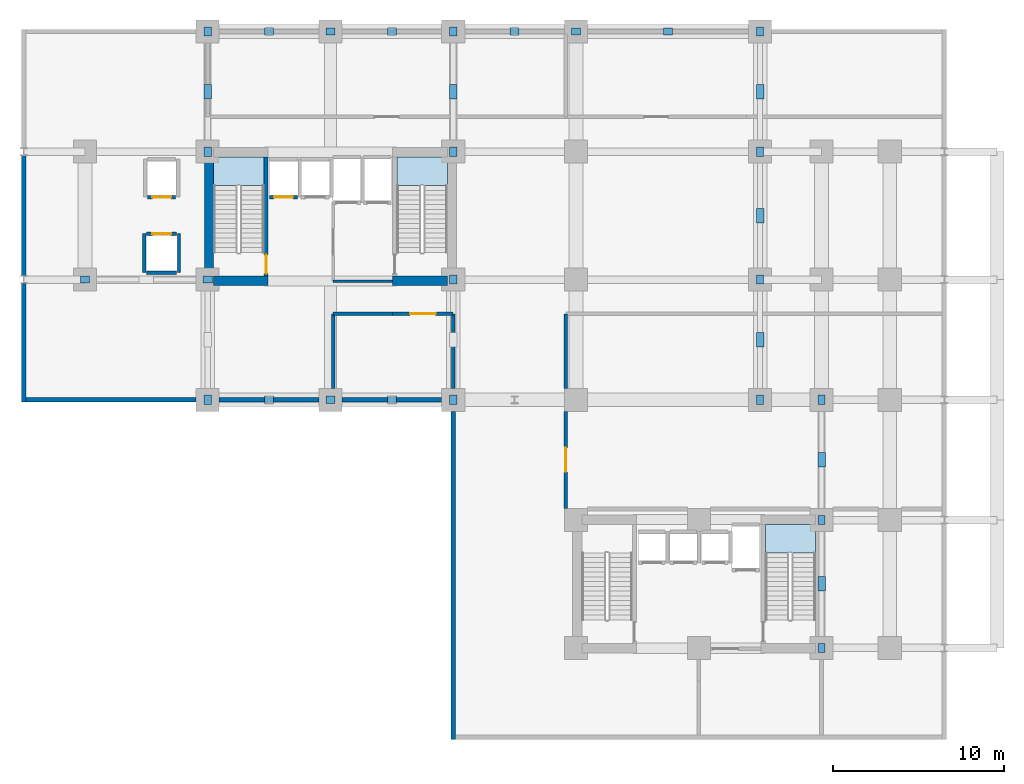
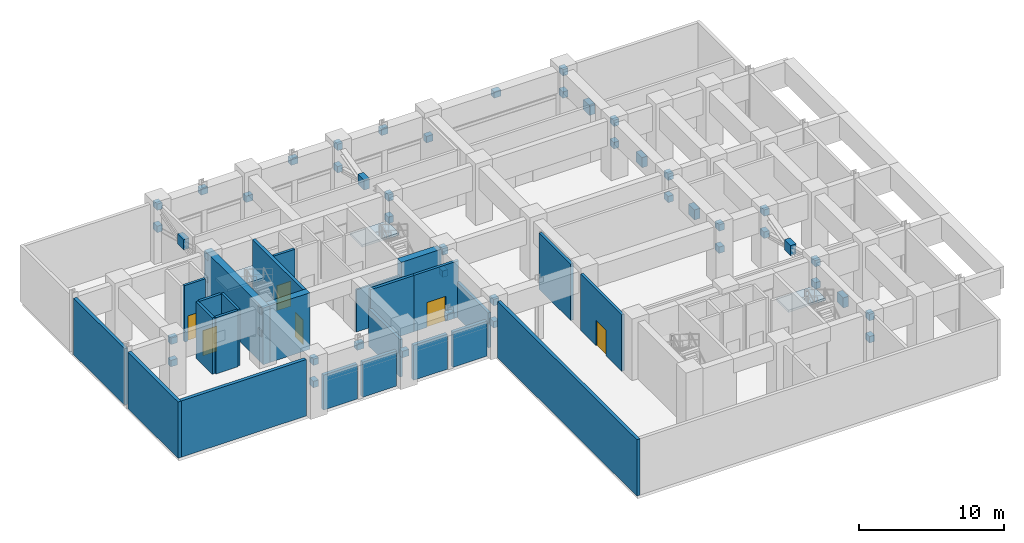
# One storey, part 3 of 8: 48 plates, 25 walls, 6 doors, 3 slabs, 6 openings, 3 elements without a shape of their own.
"""IFC4 building model written with IfcOpenShell, lengths in metres."""

from ifc_helpers import new_model, si_unit, direction, frame, frame_2d, origin, origin_2d, place, context, subcontext, project, spatial, polyline, rectangle, outline, extrude, source, transform, mapped, material, layer, layer_set, type_object, element, fill, aggregate, save


model = new_model("IFC4")

# Units and contexts
model_context = context("Model", 3, precision=1e-05, world=origin(), true_north=direction((0.0, 1.0)))
body_context = subcontext(model_context, "Body", "Model", "MODEL_VIEW")
ifc_project = project(units=[si_unit("LENGTHUNIT", "METRE"), si_unit("AREAUNIT", "SQUARE_METRE"), si_unit("VOLUMEUNIT", "CUBIC_METRE"), si_unit("PLANEANGLEUNIT", "RADIAN"), si_unit("MASSUNIT", "GRAM", prefix="KILO")], contexts=[model_context])

# Site, building, storey
site_placement = place(None, origin())
site = spatial("IfcSite", under=ifc_project, at=site_placement, CompositionType="ELEMENT")
building_placement = place(site_placement, origin())
building = spatial("IfcBuilding", under=site, at=building_placement, Name="Kaliganga Portal Commons", CompositionType="ELEMENT")
storey_placement = place(building_placement, frame((0.0, 0.0, 73.39990234375)))
storey = spatial("IfcBuildingStorey", under=building, at=storey_placement, Name="L18", CompositionType="ELEMENT", Elevation=73.39990234375)

# Stair, slab
ifc_material_1 = material(Name="Concrete C40/50", Category="concrete")
stair_type = type_object("IfcStairType", Name="ST-CORE-DOGLEG", PredefinedType="HALF_TURN_STAIR", material=ifc_material_1)
stair_1_placement = place(storey_placement, origin())
stair_1 = element("IfcStair", 1, at=stair_1_placement, inside=storey, type_object=stair_type, Name="L18 Protected Exit Stair ST-A1", PredefinedType="HALF_TURN_STAIR")
ifc_layer_1 = layer(ifc_material_1, 0.199951171875)
ifc_layer_set_1 = layer_set([ifc_layer_1], Name="Concrete C40/50")
slab_type = type_object("IfcSlabType", Name="SLB-STAIR-LND", PredefinedType="LANDING", material=ifc_layer_set_1)
slab_1_placement = place(storey_placement, frame((0.0, 0.0, 2.400146484375)))
slab_1 = element("IfcSlab", 2, at=slab_1_placement, type_object=slab_type, Name="ST-A1 landing 1", PredefinedType="LANDING", context=body_context, shape_type="SweptSolid", body=[
    extrude(outline(polyline([(17.699951171875, 34.169921875), (17.699951171875, 35.85009765625), (14.75, 35.85009765625), (14.75, 34.169921875), (17.699951171875, 34.169921875)])), origin(), (0.0, 0.0, 1.0), 0.199951171875),
])
aggregate(stair_1, [slab_1])

stair_2_placement = place(storey_placement, origin())
stair_2 = element("IfcStair", 3, at=stair_2_placement, inside=storey, type_object=stair_type, Name="L18 Protected Exit Stair ST-A2", PredefinedType="HALF_TURN_STAIR")
slab_2_placement = place(storey_placement, frame((0.0, 0.0, 2.400146484375)))
slab_2 = element("IfcSlab", 4, at=slab_2_placement, type_object=slab_type, Name="ST-A2 landing 1", PredefinedType="LANDING", context=body_context, shape_type="SweptSolid", body=[
    extrude(outline(polyline([(28.449951171875, 34.169921875), (28.449951171875, 35.85009765625), (25.5, 35.85009765625), (25.5, 34.169921875), (28.449951171875, 34.169921875)])), origin(), (0.0, 0.0, 1.0), 0.199951171875),
])
aggregate(stair_2, [slab_2])

stair_3_placement = place(storey_placement, origin())
stair_3 = element("IfcStair", 5, at=stair_3_placement, inside=storey, type_object=stair_type, Name="L18 Protected Exit Stair ST-B2", PredefinedType="HALF_TURN_STAIR")
slab_3_placement = place(storey_placement, frame((0.0, 0.0, 2.400146484375)))
slab_3 = element("IfcSlab", 6, at=slab_3_placement, type_object=slab_type, Name="ST-B2 landing 1", PredefinedType="LANDING", context=body_context, shape_type="SweptSolid", body=[
    extrude(outline(polyline([(50.050048828125, 12.6201171875), (50.050048828125, 14.300048828125), (47.10009765625, 14.300048828125), (47.10009765625, 12.6201171875), (50.050048828125, 12.6201171875)])), origin(), (0.0, 0.0, 1.0), 0.199951171875),
])
aggregate(stair_3, [slab_3])

# Plates
ifc_material_2 = material(Name="Structural steel S460M", Category="steel")
ifc_layer_2 = layer(ifc_material_2, 0.0400390625)
ifc_layer_set_2 = layer_set([ifc_layer_2], Name="Structural steel S460M")
plate_type = type_object("IfcPlateType", Name="PLT-GUSSET-40", PredefinedType="USERDEFINED", material=ifc_layer_set_2)
shared_shape_1 = source(origin(), body_context, "Body", "SweptSolid", [
    extrude(rectangle(XDim=0.85009765625, YDim=0.43994140625, at=origin_2d()), origin(), (0.0, 0.0, 1.0), 0.85009765625),
])
for number, where, z_axis, x_axis, name in (
    (7, (14.39990234375, 39.675048828125, 3.06494140625), (0.0, 0.0, 1.0), (0.0, 1.0, 0.0), "Outrigger Crossing Gusset Plate GP-L18-04"),
    (8, (28.800048828125, 39.675048828125, 3.06494140625), (0.0, 0.0, 1.0), (0.0, 1.0, 0.0), "Outrigger Crossing Gusset Plate GP-L18-05"),
    (9, (46.800048828125, 25.125, 3.06494140625), (0.0, 0.0, 1.0), (0.0, 1.0, 0.0), "Outrigger Crossing Gusset Plate GP-L18-06"),
    (10, (46.800048828125, 32.39990234375, 3.06494140625), (0.0, 0.0, 1.0), (0.0, 1.0, 0.0), "Outrigger Crossing Gusset Plate GP-L18-07"),
    (11, (46.800048828125, 39.675048828125, 3.06494140625), (0.0, 0.0, 1.0), (0.0, 1.0, 0.0), "Outrigger Crossing Gusset Plate GP-L18-08"),
    (12, (50.39990234375, 10.800048828125, 3.06494140625), (0.0, 0.0, 1.0), (0.0, 1.0, 0.0), "Outrigger Crossing Gusset Plate GP-L18-09"),
    (13, (50.39990234375, 18.074951171875, 3.06494140625), (0.0, 0.0, 1.0), (0.0, 1.0, 0.0), "Outrigger Crossing Gusset Plate GP-L18-10"),
):
    element("IfcPlate", number, at=place(storey_placement, frame(where, z_axis=z_axis, x_axis=x_axis)), inside=storey, type_object=plate_type, Name=name, ObjectType="GUSSET PLATE", PredefinedType="USERDEFINED", context=body_context, shape_type="MappedRepresentation", body=[
        mapped(shared_shape_1, transform((0.0, 0.0, 0.0), x_axis=(1.0, 0.0, 0.0), y_axis=(0.0, 1.0, 0.0), z_axis=(0.0, 0.0, 1.0), scale=1.0)),
    ])
shared_shape_2 = source(origin(), body_context, "Body", "SweptSolid", [
    extrude(rectangle(XDim=0.5400390625, YDim=0.419921875, at=origin_2d()), origin(), (0.0, 0.0, 1.0), 0.5400390625),
])
for number, where, z_axis, x_axis, name in (
    (14, (14.39990234375, 28.64990234375, 2.280029296875), (0.0, 0.0, 1.0), (-1.0, 0.0, 0.0), "Brace End Gusset Plate PLT-ENDG-L18-O01A0"),
    (15, (7.199951171875, 28.64990234375, 4.16015625), (0.0, 0.0, 1.0), (-1.0, 0.0, 0.0), "Brace End Gusset Plate PLT-ENDG-L18-O01A1"),
    (16, (14.39990234375, 28.64990234375, 4.16015625), (0.0, 0.0, 1.0), (-1.0, 0.0, 0.0), "Brace End Gusset Plate PLT-ENDG-L18-O01B0"),
    (17, (7.199951171875, 28.64990234375, 2.280029296875), (0.0, 0.0, 1.0), (-1.0, 0.0, 0.0), "Brace End Gusset Plate PLT-ENDG-L18-O01B1"),
    (18, (14.39990234375, 21.60009765625, 4.16015625), (0.0, 0.0, 1.0), (0.0, -1.0, 0.0), "Brace End Gusset Plate PLT-ENDG-L18-O02A1"),
    (19, (14.39990234375, 21.60009765625, 2.280029296875), (0.0, 0.0, 1.0), (0.0, -1.0, 0.0), "Brace End Gusset Plate PLT-ENDG-L18-O02B1"),
    (20, (28.800048828125, 28.64990234375, 2.280029296875), (0.0, 0.0, 1.0), (0.0, -1.0, 0.0), "Brace End Gusset Plate PLT-ENDG-L18-O03A0"),
    (21, (28.800048828125, 21.60009765625, 4.16015625), (0.0, 0.0, 1.0), (0.0, -1.0, 0.0), "Brace End Gusset Plate PLT-ENDG-L18-O03A1"),
    (22, (28.800048828125, 28.64990234375, 4.16015625), (0.0, 0.0, 1.0), (0.0, -1.0, 0.0), "Brace End Gusset Plate PLT-ENDG-L18-O03B0"),
    (23, (28.800048828125, 21.60009765625, 2.280029296875), (0.0, 0.0, 1.0), (0.0, -1.0, 0.0), "Brace End Gusset Plate PLT-ENDG-L18-O03B1"),
    (24, (14.39990234375, 36.14990234375, 2.280029296875), (0.0, 0.0, 1.0), (0.0, 1.0, 0.0), "Brace End Gusset Plate PLT-ENDG-L18-O04A0"),
    (25, (14.39990234375, 43.199951171875, 4.16015625), (0.0, 0.0, 1.0), (0.0, 1.0, 0.0), "Brace End Gusset Plate PLT-ENDG-L18-O04A1"),
    (26, (14.39990234375, 36.14990234375, 4.16015625), (0.0, 0.0, 1.0), (0.0, 1.0, 0.0), "Brace End Gusset Plate PLT-ENDG-L18-O04B0"),
    (27, (14.39990234375, 43.199951171875, 2.280029296875), (0.0, 0.0, 1.0), (0.0, 1.0, 0.0), "Brace End Gusset Plate PLT-ENDG-L18-O04B1"),
    (28, (28.800048828125, 36.14990234375, 2.280029296875), (0.0, 0.0, 1.0), (0.0, 1.0, 0.0), "Brace End Gusset Plate PLT-ENDG-L18-O05A0"),
    (29, (28.800048828125, 43.199951171875, 4.16015625), (0.0, 0.0, 1.0), (0.0, 1.0, 0.0), "Brace End Gusset Plate PLT-ENDG-L18-O05A1"),
    (30, (28.800048828125, 36.14990234375, 4.16015625), (0.0, 0.0, 1.0), (0.0, 1.0, 0.0), "Brace End Gusset Plate PLT-ENDG-L18-O05B0"),
    (31, (28.800048828125, 43.199951171875, 2.280029296875), (0.0, 0.0, 1.0), (0.0, 1.0, 0.0), "Brace End Gusset Plate PLT-ENDG-L18-O05B1"),
    (32, (46.800048828125, 21.60009765625, 2.280029296875), (0.0, 0.0, 1.0), (0.0, 1.0, 0.0), "Brace End Gusset Plate PLT-ENDG-L18-O06A0"),
    (33, (46.800048828125, 28.64990234375, 4.16015625), (0.0, 0.0, 1.0), (0.0, 1.0, 0.0), "Brace End Gusset Plate PLT-ENDG-L18-O06A1"),
    (34, (46.800048828125, 21.60009765625, 4.16015625), (0.0, 0.0, 1.0), (0.0, 1.0, 0.0), "Brace End Gusset Plate PLT-ENDG-L18-O06B0"),
    (35, (46.800048828125, 28.64990234375, 2.280029296875), (0.0, 0.0, 1.0), (0.0, 1.0, 0.0), "Brace End Gusset Plate PLT-ENDG-L18-O06B1"),
    (36, (46.800048828125, 36.14990234375, 4.16015625), (0.0, 0.0, 1.0), (0.0, 1.0, 0.0), "Brace End Gusset Plate PLT-ENDG-L18-O07A1"),
    (37, (46.800048828125, 36.14990234375, 2.280029296875), (0.0, 0.0, 1.0), (0.0, 1.0, 0.0), "Brace End Gusset Plate PLT-ENDG-L18-O07B1"),
    (38, (46.800048828125, 43.199951171875, 4.16015625), (0.0, 0.0, 1.0), (0.0, 1.0, 0.0), "Brace End Gusset Plate PLT-ENDG-L18-O08A1"),
    (39, (46.800048828125, 43.199951171875, 2.280029296875), (0.0, 0.0, 1.0), (0.0, 1.0, 0.0), "Brace End Gusset Plate PLT-ENDG-L18-O08B1"),
    (40, (50.39990234375, 7.050048828125, 2.280029296875), (0.0, 0.0, 1.0), (0.0, 1.0, 0.0), "Brace End Gusset Plate PLT-ENDG-L18-O09A0"),
    (41, (50.39990234375, 14.550048828125, 4.16015625), (0.0, 0.0, 1.0), (0.0, 1.0, 0.0), "Brace End Gusset Plate PLT-ENDG-L18-O09A1"),
    (42, (50.39990234375, 7.050048828125, 4.16015625), (0.0, 0.0, 1.0), (0.0, 1.0, 0.0), "Brace End Gusset Plate PLT-ENDG-L18-O09B0"),
    (43, (50.39990234375, 14.550048828125, 2.280029296875), (0.0, 0.0, 1.0), (0.0, 1.0, 0.0), "Brace End Gusset Plate PLT-ENDG-L18-O09B1"),
    (44, (50.39990234375, 21.60009765625, 4.16015625), (0.0, 0.0, 1.0), (0.0, 1.0, 0.0), "Brace End Gusset Plate PLT-ENDG-L18-O10A1"),
    (45, (50.39990234375, 21.60009765625, 2.280029296875), (0.0, 0.0, 1.0), (0.0, 1.0, 0.0), "Brace End Gusset Plate PLT-ENDG-L18-O10B1"),
    (46, (21.60009765625, 43.199951171875, 2.280029296875), (0.0, 0.0, 1.0), (1.0, 0.0, 0.0), "Brace End Gusset Plate PLT-ENDG-L18-B01R"),
    (47, (18.0, 43.199951171875, 4.16015625), (0.0, 0.0, 1.0), (1.0, 0.0, 0.0), "Brace End Gusset Plate PLT-ENDG-L18-B01M"),
    (48, (25.199951171875, 43.199951171875, 4.16015625), (0.0, 0.0, 1.0), (1.0, 0.0, 0.0), "Brace End Gusset Plate PLT-ENDG-L18-B02M"),
    (49, (36.0, 43.199951171875, 2.280029296875), (0.0, 0.0, 1.0), (1.0, 0.0, 0.0), "Brace End Gusset Plate PLT-ENDG-L18-B03R"),
    (50, (32.39990234375, 43.199951171875, 4.16015625), (0.0, 0.0, 1.0), (1.0, 0.0, 0.0), "Brace End Gusset Plate PLT-ENDG-L18-B03M"),
    (51, (41.39990234375, 43.199951171875, 4.16015625), (0.0, 0.0, 1.0), (1.0, 0.0, 0.0), "Brace End Gusset Plate PLT-ENDG-L18-B04M"),
    (52, (21.60009765625, 21.60009765625, 2.280029296875), (0.0, 0.0, 1.0), (1.0, 0.0, 0.0), "Brace End Gusset Plate PLT-ENDG-L18-B05R"),
    (53, (18.0, 21.60009765625, 4.16015625), (0.0, 0.0, 1.0), (1.0, 0.0, 0.0), "Brace End Gusset Plate PLT-ENDG-L18-B05M"),
    (54, (25.199951171875, 21.60009765625, 4.16015625), (0.0, 0.0, 1.0), (1.0, 0.0, 0.0), "Brace End Gusset Plate PLT-ENDG-L18-B06M"),
):
    element("IfcPlate", number, at=place(storey_placement, frame(where, z_axis=z_axis, x_axis=x_axis)), inside=storey, type_object=plate_type, Name=name, ObjectType="GUSSET PLATE", PredefinedType="USERDEFINED", context=body_context, shape_type="MappedRepresentation", body=[
        mapped(shared_shape_2, transform((0.0, 0.0, 0.0), x_axis=(1.0, 0.0, 0.0), y_axis=(0.0, 1.0, 0.0), z_axis=(0.0, 0.0, 1.0), scale=1.0)),
    ])

# Walls
ifc_material_3 = material(Name="Concrete C60/75", Category="concrete")
ifc_layer_3 = layer(ifc_material_3, 0.550048828125)
ifc_layer_set_3 = layer_set([ifc_layer_3], Name="Concrete C60/75")
wall_type_1 = type_object("IfcWallType", Name="WL-CORE-550", PredefinedType="SHEAR", material=ifc_layer_set_3)
wall_1_placement = place(storey_placement, frame((14.47509765625, 28.300048828125, 0.0), z_axis=(0.0, 0.0, 1.0), x_axis=(0.0, 1.0, 0.0)))
element("IfcWall", 55, at=wall_1_placement, inside=storey, type_object=wall_type_1, Name="Core A West Shear Wall L18", PredefinedType="SHEAR", context=body_context, shape_type="SweptSolid", body=[
    extrude(rectangle(XDim=8.099853515625, YDim=0.550048828125, at=frame_2d((4.0498046875, 0.0))), origin(), (0.0, 0.0, 1.0), 4.780029296875),
])
for number, where, z_axis, x_axis, name in (
    (56, (14.75, 28.574951171875, 0.0), (0.0, 0.0, 1.0), (1.0, 0.0, 0.0), "Core A S-West Shear Wall L18"),
    (57, (25.25, 28.574951171875, 0.0), (0.0, 0.0, 1.0), (1.0, 0.0, 0.0), "Core A S-East Shear Wall L18"),
):
    element("IfcWall", number, at=place(storey_placement, frame(where, z_axis=z_axis, x_axis=x_axis)), inside=storey, type_object=wall_type_1, Name=name, PredefinedType="SHEAR", context=body_context, shape_type="SweptSolid", body=[
        extrude(rectangle(XDim=3.199951171875, YDim=0.550048828125, at=frame_2d((1.60009765625, 0.0))), origin(), (0.0, 0.0, 1.0), 4.780029296875),
    ])
ifc_material_4 = material(Name="Insulated Aluminium-Clad Spandrel Assembly", Category="aluminium")
ifc_layer_4 = layer(ifc_material_4, 0.260009765625)
ifc_layer_set_4 = layer_set([ifc_layer_4], Name="Insulated Aluminium-Clad Spandrel Assembly")
wall_type_2 = type_object("IfcWallType", Name="WL-EXT-SPAND-260", PredefinedType="STANDARD", material=ifc_layer_set_4)
wall_2_placement = place(storey_placement, frame((3.60009765625, 28.8740234375, 0.0), z_axis=(0.0, 0.0, 1.0), x_axis=(0.0, 1.0, 0.0)))
element("IfcWall", 58, at=wall_2_placement, inside=storey, type_object=wall_type_2, Name="Exterior Envelope Wall L18 P1-E03-S2", PredefinedType="STANDARD", context=body_context, shape_type="SweptSolid", body=[
    extrude(rectangle(XDim=7.052001953125, YDim=0.260009765625, at=frame_2d((3.52587890625, 0.0))), origin(), (0.0, 0.0, 1.0), 4.760009765625),
])
wall_3_placement = place(storey_placement, frame((3.60009765625, 21.469970703125, 0.0), z_axis=(0.0, 0.0, 1.0), x_axis=(0.0, 1.0, 0.0)))
element("IfcWall", 59, at=wall_3_placement, inside=storey, type_object=wall_type_2, Name="Exterior Envelope Wall L18 P1-E03-S3", PredefinedType="STANDARD", context=body_context, shape_type="SweptSolid", body=[
    extrude(rectangle(XDim=6.9560546875, YDim=0.260009765625, at=frame_2d((3.47802734375, 0.0))), origin(), (0.0, 0.0, 1.0), 4.760009765625),
])
wall_4_placement = place(storey_placement, frame((13.72412109375, 21.60009765625, 0.0), z_axis=(0.0, 0.0, 1.0), x_axis=(-1.0, 0.0, 0.0)))
element("IfcWall", 60, at=wall_4_placement, inside=storey, type_object=wall_type_2, Name="Exterior Envelope Wall L18 P1-E04-S1", PredefinedType="STANDARD", context=body_context, shape_type="SweptSolid", body=[
    extrude(rectangle(XDim=9.989013671875, YDim=0.260009765625, at=frame_2d((4.99462890625, 0.0))), origin(), (0.0, 0.0, 1.0), 4.760009765625),
])
for number, where, z_axis, x_axis, name in (
    (61, (17.791015625, 21.60009765625, 0.0), (0.0, 0.0, 1.0), (-1.0, 0.0, 0.0), "Exterior Envelope Wall L18 P1-E04-S2"),
    (62, (20.924072265625, 21.60009765625, 0.0), (0.0, 0.0, 1.0), (-1.0, 0.0, 0.0), "Exterior Envelope Wall L18 P1-E04-S3"),
    (63, (24.990966796875, 21.60009765625, 0.0), (0.0, 0.0, 1.0), (-1.0, 0.0, 0.0), "Exterior Envelope Wall L18 P1-E04-S4"),
    (64, (28.1240234375, 21.60009765625, 0.0), (0.0, 0.0, 1.0), (-1.0, 0.0, 0.0), "Exterior Envelope Wall L18 P1-E04-S5"),
):
    element("IfcWall", number, at=place(storey_placement, frame(where, z_axis=z_axis, x_axis=x_axis)), inside=storey, type_object=wall_type_2, Name=name, PredefinedType="STANDARD", context=body_context, shape_type="SweptSolid", body=[
        extrude(rectangle(XDim=2.715087890625, YDim=0.260009765625, at=frame_2d((1.357421875, 0.0))), origin(), (0.0, 0.0, 1.0), 2.960205078125),
    ])
wall_5_placement = place(storey_placement, frame((28.800048828125, 1.669921875, 0.0), z_axis=(0.0, 0.0, 1.0), x_axis=(0.0, 1.0, 0.0)))
element("IfcWall", 65, at=wall_5_placement, inside=storey, type_object=wall_type_2, Name="Exterior Envelope Wall L18 P1-E05-S1", PredefinedType="STANDARD", context=body_context, shape_type="SweptSolid", body=[
    extrude(rectangle(XDim=19.254150390625, YDim=0.260009765625, at=frame_2d((9.626953125, 0.0))), origin(), (0.0, 0.0, 1.0), 4.760009765625),
])
ifc_material_5 = material(Name="Fire-Rated Gypsum Board on Steel Stud", Category="steel")
ifc_layer_5 = layer(ifc_material_5, 0.14990234375)
ifc_layer_set_5 = layer_set([ifc_layer_5], Name="Fire-Rated Gypsum Board on Steel Stud")
wall_type_3 = type_object("IfcWallType", Name="WL-PART-CORR-150", PredefinedType="PARTITIONING", material=ifc_layer_set_5)
wall_6_placement = place(storey_placement, frame((21.760009765625, 28.56005859375, 0.0), z_axis=(0.0, 0.0, 1.0), x_axis=(1.0, 0.0, 0.0)))
element("IfcWall", 66, at=wall_6_placement, inside=storey, type_object=wall_type_3, Name="Interior Partition L18-021", PredefinedType="PARTITIONING", context=body_context, shape_type="SweptSolid", body=[
    extrude(rectangle(XDim=3.47998046875, YDim=0.14990234375, at=frame_2d((1.739990234375, 0.0))), origin(), (0.0, 0.0, 1.0), 3.56005859375),
])

# Wall, opening, door
ifc_material_6 = material(Name="Lightweight blockwork masonry", Category="masonry")
ifc_layer_6 = layer(ifc_material_6, 0.215087890625)
ifc_layer_set_6 = layer_set([ifc_layer_6], Name="Lightweight blockwork masonry")
wall_type_4 = type_object("IfcWallType", Name="WL-PART-PLANT-215", PredefinedType="PARTITIONING", material=ifc_layer_set_6)
wall_7_placement = place(storey_placement, frame((35.39990234375, 15.22509765625, 0.0), z_axis=(0.0, 0.0, 1.0), x_axis=(0.0, 1.0, 0.0)))
wall_7 = element("IfcWall", 67, at=wall_7_placement, inside=storey, type_object=wall_type_4, Name="Interior Partition L18-003", PredefinedType="PARTITIONING", context=body_context, shape_type="SweptSolid", body=[
    extrude(rectangle(XDim=5.699951171875, YDim=0.215087890625, at=frame_2d((2.85009765625, 0.0))), origin(), (0.0, 0.0, 1.0), 4.760009765625),
])
opening_1_placement = place(wall_7_placement, frame((2.14990234375, 0.0, 0.0)))
opening_1 = element("IfcOpeningElement", 68, at=opening_1_placement, cuts=wall_7, Name="Opening PD-01", PredefinedType="OPENING", context=body_context, shape_type="SweptSolid", body=[
    extrude(rectangle(XDim=1.39990234375, YDim=2.14990234375, at=frame_2d((0.699951171875, 1.074951171875))), frame((0.0, 0.11767578125, 0.0), z_axis=(0.0, -1.0, 0.0), x_axis=(1.0, 0.0, 0.0)), (0.0, 0.0, 1.0), 0.235107421875),
])
ifc_material_7 = material(Name="Heavy-Duty Steel Acoustic Louvre Fire Door", Category="steel")
door_type_1 = type_object("IfcDoorType", Name="DR-PLANT-1400", OperationType="DOUBLE_DOOR_SINGLE_SWING", PredefinedType="DOOR", material=ifc_material_7)
door_1_placement = place(opening_1_placement, origin())
door_1 = element("IfcDoor", 69, at=door_1_placement, inside=storey, type_object=door_type_1, Name="Interior Door L18-HEX", OperationType="DOUBLE_DOOR_SINGLE_SWING", OverallHeight=2.14990234375, OverallWidth=1.39990234375, PredefinedType="DOOR", context=body_context, shape_type="SweptSolid", body=[
    extrude(rectangle(XDim=1.39990234375, YDim=2.14990234375, at=frame_2d((0.699951171875, 1.074951171875))), frame((0.0, 0.02490234375, 0.0), z_axis=(0.0, -1.0, 0.0), x_axis=(1.0, 0.0, 0.0)), (0.0, 0.0, 1.0), 0.050048828125),
])
fill(opening_1, door_1)

# Wall
wall_8_placement = place(storey_placement, frame((35.39990234375, 22.27490234375, 0.0), z_axis=(0.0, 0.0, 1.0), x_axis=(0.0, 1.0, 0.0)))
element("IfcWall", 70, at=wall_8_placement, inside=storey, type_object=wall_type_4, Name="Interior Partition L18-004", PredefinedType="PARTITIONING", context=body_context, shape_type="SweptSolid", body=[
    extrude(rectangle(XDim=4.364990234375, YDim=0.215087890625, at=frame_2d((2.1826171875, 0.0))), origin(), (0.0, 0.0, 1.0), 4.760009765625),
])

# Wall, opening, door
wall_9_placement = place(storey_placement, frame((25.239990234375, 26.639892578125, 0.0), z_axis=(0.0, 0.0, 1.0), x_axis=(1.0, 0.0, 0.0)))
wall_9 = element("IfcWall", 71, at=wall_9_placement, inside=storey, type_object=wall_type_4, Name="Interior Partition L18-006", PredefinedType="PARTITIONING", context=body_context, shape_type="SweptSolid", body=[
    extrude(rectangle(XDim=3.56005859375, YDim=0.215087890625, at=frame_2d((1.780029296875, 0.0))), origin(), (0.0, 0.0, 1.0), 4.760009765625),
])
opening_2_placement = place(wall_9_placement, frame((1.030029296875, 0.0, 0.0)))
opening_2 = element("IfcOpeningElement", 72, at=opening_2_placement, cuts=wall_9, Name="Opening FD-01", PredefinedType="OPENING", context=body_context, shape_type="SweptSolid", body=[
    extrude(rectangle(XDim=1.5, YDim=2.10009765625, at=frame_2d((0.75, 1.050048828125))), frame((0.0, 0.11767578125, 0.0), z_axis=(0.0, -1.0, 0.0), x_axis=(1.0, 0.0, 0.0)), (0.0, 0.0, 1.0), 0.235107421875),
])
ifc_material_8 = material(Name="Fire-Rated Hardwood and Georgian-Wired Vision Panel", Category="wood")
door_type_2 = type_object("IfcDoorType", Name="DR-LOBBY-1500", OperationType="DOUBLE_DOOR_SINGLE_SWING", PredefinedType="DOOR", material=ifc_material_8)
door_2_placement = place(opening_2_placement, origin())
door_2 = element("IfcDoor", 73, at=door_2_placement, inside=storey, type_object=door_type_2, Name="Interior Door L18-REFA", OperationType="DOUBLE_DOOR_SINGLE_SWING", OverallHeight=2.10009765625, OverallWidth=1.5, PredefinedType="DOOR", context=body_context, shape_type="SweptSolid", body=[
    extrude(rectangle(XDim=1.5, YDim=2.10009765625, at=frame_2d((0.75, 1.050048828125))), frame((0.0, 0.02490234375, 0.0), z_axis=(0.0, -1.0, 0.0), x_axis=(1.0, 0.0, 0.0)), (0.0, 0.0, 1.0), 0.050048828125),
])
fill(opening_2, door_2)

# Walls
wall_10_placement = place(storey_placement, frame((21.760009765625, 22.27490234375, 0.0), z_axis=(0.0, 0.0, 1.0), x_axis=(0.0, 1.0, 0.0)))
element("IfcWall", 74, at=wall_10_placement, inside=storey, type_object=wall_type_4, Name="Interior Partition L18-015", PredefinedType="PARTITIONING", context=body_context, shape_type="SweptSolid", body=[
    extrude(rectangle(XDim=4.364990234375, YDim=0.215087890625, at=frame_2d((2.1826171875, 0.0))), origin(), (0.0, 0.0, 1.0), 3.16015625),
])
wall_11_placement = place(storey_placement, frame((28.800048828125, 22.27490234375, 0.0), z_axis=(0.0, 0.0, 1.0), x_axis=(0.0, 1.0, 0.0)))
element("IfcWall", 75, at=wall_11_placement, inside=storey, type_object=wall_type_4, Name="Interior Partition L18-016", PredefinedType="PARTITIONING", context=body_context, shape_type="SweptSolid", body=[
    extrude(rectangle(XDim=4.364990234375, YDim=0.215087890625, at=frame_2d((2.1826171875, 0.0))), origin(), (0.0, 0.0, 1.0), 2.960205078125),
])
wall_12_placement = place(storey_placement, frame((21.760009765625, 26.639892578125, 0.0), z_axis=(0.0, 0.0, 1.0), x_axis=(1.0, 0.0, 0.0)))
element("IfcWall", 76, at=wall_12_placement, inside=storey, type_object=wall_type_4, Name="Interior Partition L18-020", PredefinedType="PARTITIONING", context=body_context, shape_type="SweptSolid", body=[
    extrude(rectangle(XDim=3.47998046875, YDim=0.215087890625, at=frame_2d((1.739990234375, 0.0))), origin(), (0.0, 0.0, 1.0), 4.760009765625),
])

# Wall, opening, door
ifc_material_9 = material(Name="Fire-Rated Shaftwall Masonry Assembly", Category="masonry")
ifc_layer_7 = layer(ifc_material_9, 0.199951171875)
ifc_layer_set_7 = layer_set([ifc_layer_7], Name="Fire-Rated Shaftwall Masonry Assembly")
wall_type_5 = type_object("IfcWallType", Name="WL-SHAFT-200", PredefinedType="PARTITIONING", material=ifc_layer_set_7)
wall_13_placement = place(storey_placement, frame((18.02490234375, 33.485107421875, 0.0), z_axis=(0.0, 0.0, 1.0), x_axis=(1.0, 0.0, 0.0)))
wall_13 = element("IfcWall", 77, at=wall_13_placement, inside=storey, type_object=wall_type_5, Name="Lift PL-A1 Hoistway Shaft Wall L18-S", PredefinedType="PARTITIONING", context=body_context, shape_type="SweptSolid", body=[
    extrude(rectangle(XDim=1.650146484375, YDim=0.199951171875, at=frame_2d((0.8251953125, 0.0))), origin(), (0.0, 0.0, 1.0), 4.760009765625),
])
opening_3_placement = place(wall_13_placement, frame((0.27490234375, 0.0, 0.0)))
opening_3 = element("IfcOpeningElement", 78, at=opening_3_placement, cuts=wall_13, Name="Opening LD-01", PredefinedType="OPENING", context=body_context, shape_type="SweptSolid", body=[
    extrude(rectangle(XDim=1.10009765625, YDim=2.1201171875, at=frame_2d((0.550048828125, 1.06005859375))), frame((0.0, 0.10986328125, 0.0), z_axis=(0.0, -1.0, 0.0), x_axis=(1.0, 0.0, 0.0)), (0.0, 0.0, 1.0), 0.219970703125),
])
ifc_material_10 = material(Name="Brushed Stainless Steel 316 Lift Landing Door", Category="steel")
door_type_3 = type_object("IfcDoorType", Name="DR-LIFT-1100", OperationType="SLIDING_TO_LEFT", PredefinedType="DOOR", material=ifc_material_10)
door_3_placement = place(opening_3_placement, origin())
door_3 = element("IfcDoor", 79, at=door_3_placement, inside=storey, type_object=door_type_3, Name="Lift PL-A1 Sliding Landing Door L18", OperationType="SLIDING_TO_LEFT", OverallHeight=2.1201171875, OverallWidth=1.10009765625, PredefinedType="DOOR", context=body_context, shape_type="SweptSolid", body=[
    extrude(rectangle(XDim=1.10009765625, YDim=2.1201171875, at=frame_2d((0.550048828125, 1.06005859375))), frame((0.0, 0.02490234375, 0.0), z_axis=(0.0, -1.0, 0.0), x_axis=(1.0, 0.0, 0.0)), (0.0, 0.0, 1.0), 0.050048828125),
])
fill(opening_3, door_3)

# Wall
wall_14_placement = place(storey_placement, frame((10.824951171875, 29.06005859375, 0.0), z_axis=(0.0, 0.0, 1.0), x_axis=(1.0, 0.0, 0.0)))
element("IfcWall", 80, at=wall_14_placement, inside=storey, type_object=wall_type_5, Name="Lift SH-1 Hoistway Shaft Wall L18-S", PredefinedType="PARTITIONING", context=body_context, shape_type="SweptSolid", body=[
    extrude(rectangle(XDim=1.75, YDim=0.199951171875, at=frame_2d((0.875, 0.0))), origin(), (0.0, 0.0, 1.0), 4.760009765625),
])

# Wall, opening, door
wall_15_placement = place(storey_placement, frame((10.824951171875, 31.340087890625, 0.0), z_axis=(0.0, 0.0, 1.0), x_axis=(1.0, 0.0, 0.0)))
wall_15 = element("IfcWall", 81, at=wall_15_placement, inside=storey, type_object=wall_type_5, Name="Lift SH-1 Hoistway Shaft Wall L18-N", PredefinedType="PARTITIONING", context=body_context, shape_type="SweptSolid", body=[
    extrude(rectangle(XDim=1.75, YDim=0.199951171875, at=frame_2d((0.875, 0.0))), origin(), (0.0, 0.0, 1.0), 4.760009765625),
])
opening_4_placement = place(wall_15_placement, frame((0.324951171875, 0.0, 0.0)))
opening_4 = element("IfcOpeningElement", 82, at=opening_4_placement, cuts=wall_15, Name="Opening LD-01", PredefinedType="OPENING", context=body_context, shape_type="SweptSolid", body=[
    extrude(rectangle(XDim=1.10009765625, YDim=2.1201171875, at=frame_2d((0.550048828125, 1.06005859375))), frame((0.0, 0.10986328125, 0.0), z_axis=(0.0, -1.0, 0.0), x_axis=(1.0, 0.0, 0.0)), (0.0, 0.0, 1.0), 0.219970703125),
])
door_4_placement = place(opening_4_placement, origin())
door_4 = element("IfcDoor", 83, at=door_4_placement, inside=storey, type_object=door_type_3, Name="Lift SH-1 Sliding Landing Door L18", OperationType="SLIDING_TO_LEFT", OverallHeight=2.1201171875, OverallWidth=1.10009765625, PredefinedType="DOOR", context=body_context, shape_type="SweptSolid", body=[
    extrude(rectangle(XDim=1.10009765625, YDim=2.1201171875, at=frame_2d((0.550048828125, 1.06005859375))), frame((0.0, 0.02490234375, 0.0), z_axis=(0.0, -1.0, 0.0), x_axis=(1.0, 0.0, 0.0)), (0.0, 0.0, 1.0), 0.050048828125),
])
fill(opening_4, door_4)

# Walls
for number, where, z_axis, x_axis, name in (
    (84, (10.68505859375, 29.06005859375, 0.0), (0.0, 0.0, 1.0), (0.0, 1.0, 0.0), "Lift SH-1 Hoistway Shaft Wall L18-W"),
    (85, (12.715087890625, 29.06005859375, 0.0), (0.0, 0.0, 1.0), (0.0, 1.0, 0.0), "Lift SH-1 Hoistway Shaft Wall L18-E"),
):
    element("IfcWall", number, at=place(storey_placement, frame(where, z_axis=z_axis, x_axis=x_axis)), inside=storey, type_object=wall_type_5, Name=name, PredefinedType="PARTITIONING", context=body_context, shape_type="SweptSolid", body=[
        extrude(rectangle(XDim=2.280029296875, YDim=0.199951171875, at=frame_2d((1.14013671875, 0.0))), origin(), (0.0, 0.0, 1.0), 4.760009765625),
    ])

# Wall, opening, door
wall_16_placement = place(storey_placement, frame((10.875, 33.485107421875, 0.0), z_axis=(0.0, 0.0, 1.0), x_axis=(1.0, 0.0, 0.0)))
wall_16 = element("IfcWall", 86, at=wall_16_placement, inside=storey, type_object=wall_type_5, Name="Lift PL-OBS Hoistway Shaft Wall L18-S", PredefinedType="PARTITIONING", context=body_context, shape_type="SweptSolid", body=[
    extrude(rectangle(XDim=1.64990234375, YDim=0.199951171875, at=frame_2d((0.824951171875, 0.0))), origin(), (0.0, 0.0, 1.0), 4.760009765625),
])
opening_5_placement = place(wall_16_placement, frame((0.27490234375, 0.0, 0.0)))
opening_5 = element("IfcOpeningElement", 87, at=opening_5_placement, cuts=wall_16, Name="Opening LD-01", PredefinedType="OPENING", context=body_context, shape_type="SweptSolid", body=[
    extrude(rectangle(XDim=1.10009765625, YDim=2.1201171875, at=frame_2d((0.550048828125, 1.06005859375))), frame((0.0, 0.10986328125, 0.0), z_axis=(0.0, -1.0, 0.0), x_axis=(1.0, 0.0, 0.0)), (0.0, 0.0, 1.0), 0.219970703125),
])
door_5_placement = place(opening_5_placement, origin())
door_5 = element("IfcDoor", 88, at=door_5_placement, inside=storey, type_object=door_type_3, Name="Lift PL-OBS Sliding Landing Door L18", OperationType="SLIDING_TO_LEFT", OverallHeight=2.1201171875, OverallWidth=1.10009765625, PredefinedType="DOOR", context=body_context, shape_type="SweptSolid", body=[
    extrude(rectangle(XDim=1.10009765625, YDim=2.1201171875, at=frame_2d((0.550048828125, 1.06005859375))), frame((0.0, 0.02490234375, 0.0), z_axis=(0.0, -1.0, 0.0), x_axis=(1.0, 0.0, 0.0)), (0.0, 0.0, 1.0), 0.050048828125),
])
fill(opening_5, door_5)

ifc_material_11 = material(Name="Concrete C50/60", Category="concrete")
ifc_layer_8 = layer(ifc_material_11, 0.25)
ifc_layer_set_8 = layer_set([ifc_layer_8], Name="Concrete C50/60")
wall_type_6 = type_object("IfcWallType", Name="WL-STAIR-250", PredefinedType="SHEAR", material=ifc_layer_set_8)
wall_17_placement = place(storey_placement, frame((17.824951171875, 28.85009765625, 0.0), z_axis=(0.0, 0.0, 1.0), x_axis=(0.0, 1.0, 0.0)))
wall_17 = element("IfcWall", 89, at=wall_17_placement, inside=storey, type_object=wall_type_6, Name="Stair A1 Enclosure Shear Wall L18", PredefinedType="SHEAR", context=body_context, shape_type="SweptSolid", body=[
    extrude(rectangle(XDim=7.0, YDim=0.25, at=frame_2d((3.5, 0.0))), origin(), (0.0, 0.0, 1.0), 4.780029296875),
])
opening_6_placement = place(wall_17_placement, frame((0.14990234375, 0.0, 0.0)))
opening_6 = element("IfcOpeningElement", 90, at=opening_6_placement, cuts=wall_17, Name="Opening SD-01", PredefinedType="OPENING", context=body_context, shape_type="SweptSolid", body=[
    extrude(rectangle(XDim=1.10009765625, YDim=2.080078125, at=frame_2d((0.550048828125, 1.0400390625))), frame((0.0, 0.135009765625, 0.0), z_axis=(0.0, -1.0, 0.0), x_axis=(1.0, 0.0, 0.0)), (0.0, 0.0, 1.0), 0.27001953125),
])
ifc_material_12 = material(Name="Galvanized Steel Fire Door Leaf and Frame", Category="steel")
door_type_4 = type_object("IfcDoorType", Name="DR-STAIR-1100", OperationType="NOTDEFINED", PredefinedType="DOOR", material=ifc_material_12)
door_6_placement = place(opening_6_placement, origin())
door_6 = element("IfcDoor", 91, at=door_6_placement, inside=storey, type_object=door_type_4, Name="Protected Stair ST-A1 Fire Door L18", OperationType="SINGLE_SWING_RIGHT", OverallHeight=2.080078125, OverallWidth=1.10009765625, PredefinedType="DOOR", context=body_context, shape_type="SweptSolid", body=[
    extrude(rectangle(XDim=1.10009765625, YDim=2.080078125, at=frame_2d((0.550048828125, 1.0400390625))), frame((0.0, 0.02490234375, 0.0), z_axis=(0.0, -1.0, 0.0), x_axis=(1.0, 0.0, 0.0)), (0.0, 0.0, 1.0), 0.050048828125),
])
fill(opening_6, door_6)

save(model, "model.ifc")
